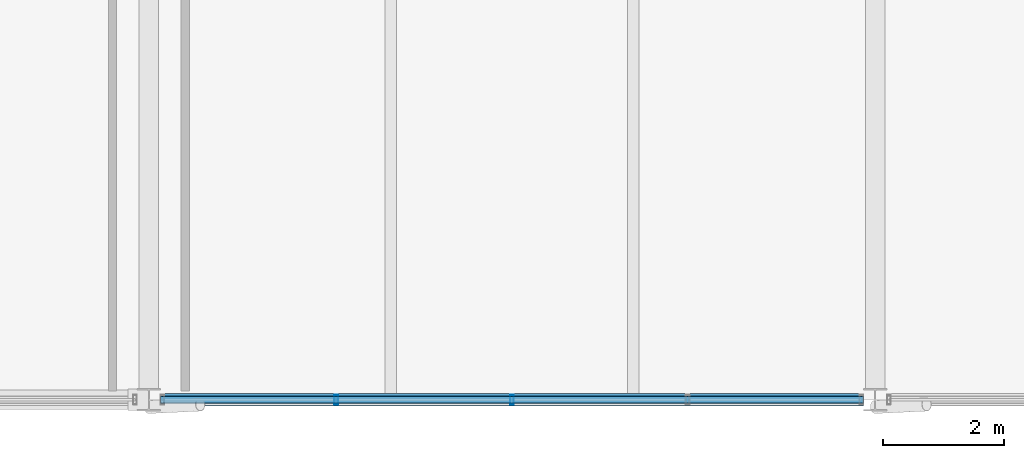
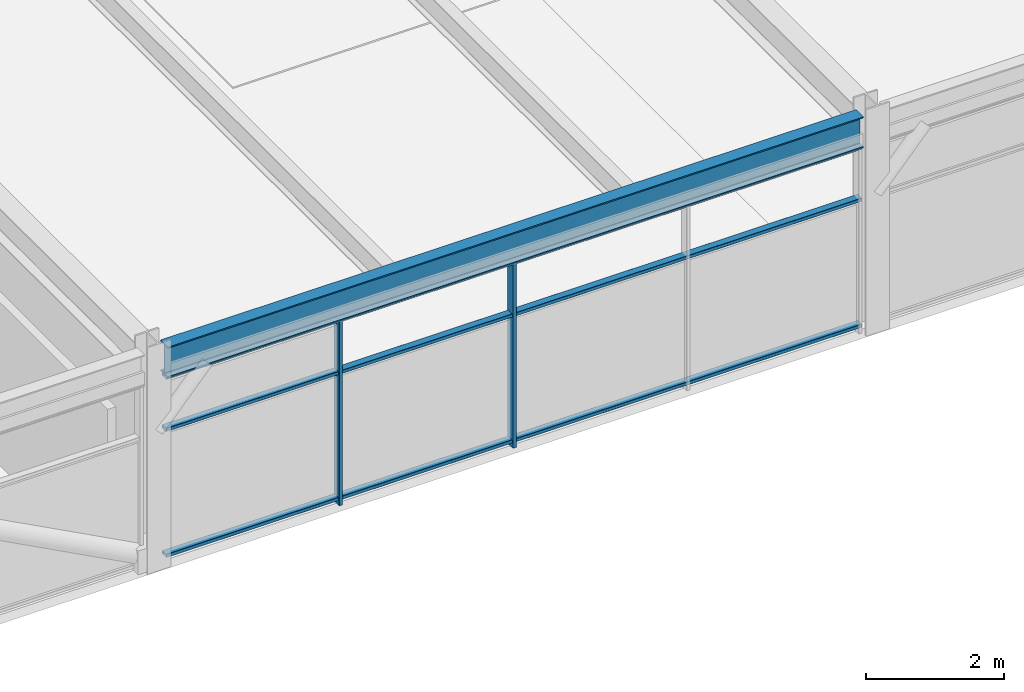
# One storey, part 11 of 51: 5 members, 1 beam, 1 element without a shape of its own.
"""IFC4 building model written with IfcOpenShell, lengths in metres."""

from ifc_helpers import new_model, si_unit, direction, frame, origin, origin_2d, place, context, subcontext, project, spatial, hollow_rectangle, i_section, extrude, material, material_profile, profile_set, type_object, element, aggregate, save


model = new_model("IFC4")

# Units and contexts
model_context = context("Model", 3, precision=1e-05, world=origin(), true_north=direction((0.0, 1.0)))
body_context = subcontext(model_context, "Body", "Model", "MODEL_VIEW")
ifc_project = project(units=[si_unit("LENGTHUNIT", "METRE"), si_unit("AREAUNIT", "SQUARE_METRE"), si_unit("VOLUMEUNIT", "CUBIC_METRE"), si_unit("PLANEANGLEUNIT", "RADIAN"), si_unit("MASSUNIT", "GRAM", prefix="KILO")], contexts=[model_context])

# Site, building, storey
site_placement = place(None, origin())
site = spatial("IfcSite", under=ifc_project, at=site_placement, CompositionType="ELEMENT")
building_placement = place(site_placement, origin())
building = spatial("IfcBuilding", under=site, at=building_placement, Name="Girod Span Mobility Hub", CompositionType="ELEMENT")
storey_placement = place(building_placement, frame((0.0, 0.0, 41.60009765625)))
storey = spatial("IfcBuildingStorey", under=building, at=storey_placement, Name="L10", CompositionType="ELEMENT", Elevation=41.60009765625)

# Beam
ifc_material_1 = material(Name="Steel A992 Grade 50", Category="steel")
ifc_material_profile_1 = material_profile(ifc_material_1, i_section(OverallWidth=0.2119140625, OverallDepth=0.5439453125, WebThickness=0.01318359375, FlangeThickness=0.021240234375, FilletRadius=0.014892578125, at=origin_2d()), Name="W21X83")
ifc_profile_set_1 = profile_set([ifc_material_profile_1], Name="Steel A992 Grade 50")
beam_type = type_object("IfcBeamType", Name="BM-STL-W21X83", PredefinedType="SPANDREL", material=ifc_profile_set_1)
beam_placement = place(storey_placement, frame((48.194091796875, 27.0, 3.552978515625), z_axis=(1.0, 0.0, 0.0), x_axis=(0.0, 1.0, 0.0)))
element("IfcBeam", 1, at=beam_placement, inside=storey, type_object=beam_type, Name="Girder 5-6/C L10", PredefinedType="SPANDREL", context=body_context, shape_type="SweptSolid", body=[
    extrude(i_section(OverallWidth=0.2119140625, OverallDepth=0.5439453125, WebThickness=0.01318359375, FlangeThickness=0.021240234375, FilletRadius=0.014892578125, at=origin_2d()), origin(), (0.0, 0.0, 1.0), 11.61181640625),
])

# Curtain wall, members
ifc_material_2 = material(Name="Thermally Broken Anodised Aluminium", Category="aluminium")
curtain_wall_type = type_object("IfcCurtainWallType", Name="CW-1161X328", PredefinedType="USERDEFINED", material=ifc_material_2)
curtain_wall_placement = place(storey_placement, origin())
curtain_wall = element("IfcCurtainWall", 2, at=curtain_wall_placement, inside=storey, type_object=curtain_wall_type, Name="Unitised Curtain Wall CW-L10-S05 L10", ObjectType="UNITISED CURTAIN WALL", PredefinedType="USERDEFINED")
ifc_material_3 = material(Name="Thermally Broken Anodised Aluminium", Category="aluminium")
ifc_material_profile_2 = material_profile(ifc_material_3, hollow_rectangle(XDim=0.159912109375, YDim=0.06005859375, WallThickness=0.00341796875, InnerFilletRadius=0.00341796875, OuterFilletRadius=0.007080078125, at=origin_2d()), Name="CW-ML-60X160")
ifc_profile_set_2 = profile_set([ifc_material_profile_2], Name="Thermally Broken Anodised Aluminium")
member_type_1 = type_object("IfcMemberType", Name="CWM-ML-3", PredefinedType="MULLION", material=ifc_profile_set_2)
member_1_placement = place(storey_placement, frame((51.097412109375, 27.0, 0.0), z_axis=(0.0, 0.0, 1.0), x_axis=(0.0, 1.0, 0.0)))
member_1 = element("IfcMember", 3, at=member_1_placement, type_object=member_type_1, Name="Curtain Wall Mullion CW-L10-S05-M1", PredefinedType="MULLION", context=body_context, shape_type="SweptSolid", body=[
    extrude(hollow_rectangle(XDim=0.159912109375, YDim=0.06005859375, WallThickness=0.00341796875, InnerFilletRadius=0.00341796875, OuterFilletRadius=0.007080078125, at=origin_2d()), origin(), (0.0, 0.0, 1.0), 3.281005859375),
])
member_2_placement = place(storey_placement, frame((54.0, 27.0, 0.0), z_axis=(0.0, 0.0, 1.0), x_axis=(0.0, 1.0, 0.0)))
member_2 = element("IfcMember", 4, at=member_2_placement, type_object=member_type_1, Name="Curtain Wall Mullion CW-L10-S05-M2", PredefinedType="MULLION", context=body_context, shape_type="SweptSolid", body=[
    extrude(hollow_rectangle(XDim=0.159912109375, YDim=0.06005859375, WallThickness=0.00341796875, InnerFilletRadius=0.00341796875, OuterFilletRadius=0.007080078125, at=origin_2d()), origin(), (0.0, 0.0, 1.0), 3.281005859375),
])
ifc_material_4 = material(Name="Thermally Broken Anodised Aluminium", Category="aluminium")
ifc_material_profile_3 = material_profile(ifc_material_4, hollow_rectangle(XDim=0.1201171875, YDim=0.06005859375, WallThickness=0.00341796875, InnerFilletRadius=0.00341796875, OuterFilletRadius=0.007080078125, at=origin_2d()), Name="CW-TR-60X120")
ifc_profile_set_3 = profile_set([ifc_material_profile_3], Name="Thermally Broken Anodised Aluminium")
member_type_2 = type_object("IfcMemberType", Name="CWM-TR-3", PredefinedType="USERDEFINED", material=ifc_profile_set_3)
member_3_placement = place(storey_placement, frame((48.195068359375, 27.0, 0.10986328125), z_axis=(1.0, 0.0, 0.0), x_axis=(0.0, 1.0, 0.0)))
member_3 = element("IfcMember", 5, at=member_3_placement, type_object=member_type_2, Name="Curtain Wall Transom CW-L10-S05-T1", ObjectType="TRANSOM", PredefinedType="USERDEFINED", context=body_context, shape_type="SweptSolid", body=[
    extrude(hollow_rectangle(XDim=0.1201171875, YDim=0.06005859375, WallThickness=0.00341796875, InnerFilletRadius=0.00341796875, OuterFilletRadius=0.007080078125, at=origin_2d()), origin(), (0.0, 0.0, 1.0), 11.60986328125),
])
member_4_placement = place(storey_placement, frame((48.195068359375, 27.0, 2.332275390625), z_axis=(1.0, 0.0, 0.0), x_axis=(0.0, 1.0, 0.0)))
member_4 = element("IfcMember", 6, at=member_4_placement, type_object=member_type_2, Name="Curtain Wall Transom CW-L10-S05-T2", ObjectType="TRANSOM", PredefinedType="USERDEFINED", context=body_context, shape_type="SweptSolid", body=[
    extrude(hollow_rectangle(XDim=0.1201171875, YDim=0.06005859375, WallThickness=0.00341796875, InnerFilletRadius=0.00341796875, OuterFilletRadius=0.007080078125, at=origin_2d()), origin(), (0.0, 0.0, 1.0), 11.60986328125),
])
member_5_placement = place(storey_placement, frame((48.195068359375, 27.0, 3.2509765625), z_axis=(1.0, 0.0, 0.0), x_axis=(0.0, 1.0, 0.0)))
member_5 = element("IfcMember", 7, at=member_5_placement, type_object=member_type_2, Name="Curtain Wall Transom CW-L10-S05-T3", ObjectType="TRANSOM", PredefinedType="USERDEFINED", context=body_context, shape_type="SweptSolid", body=[
    extrude(hollow_rectangle(XDim=0.1201171875, YDim=0.06005859375, WallThickness=0.00341796875, InnerFilletRadius=0.00341796875, OuterFilletRadius=0.007080078125, at=origin_2d()), origin(), (0.0, 0.0, 1.0), 11.60986328125),
])
aggregate(curtain_wall, [member_1, member_2, member_3, member_4, member_5])

save(model, "model.ifc")
